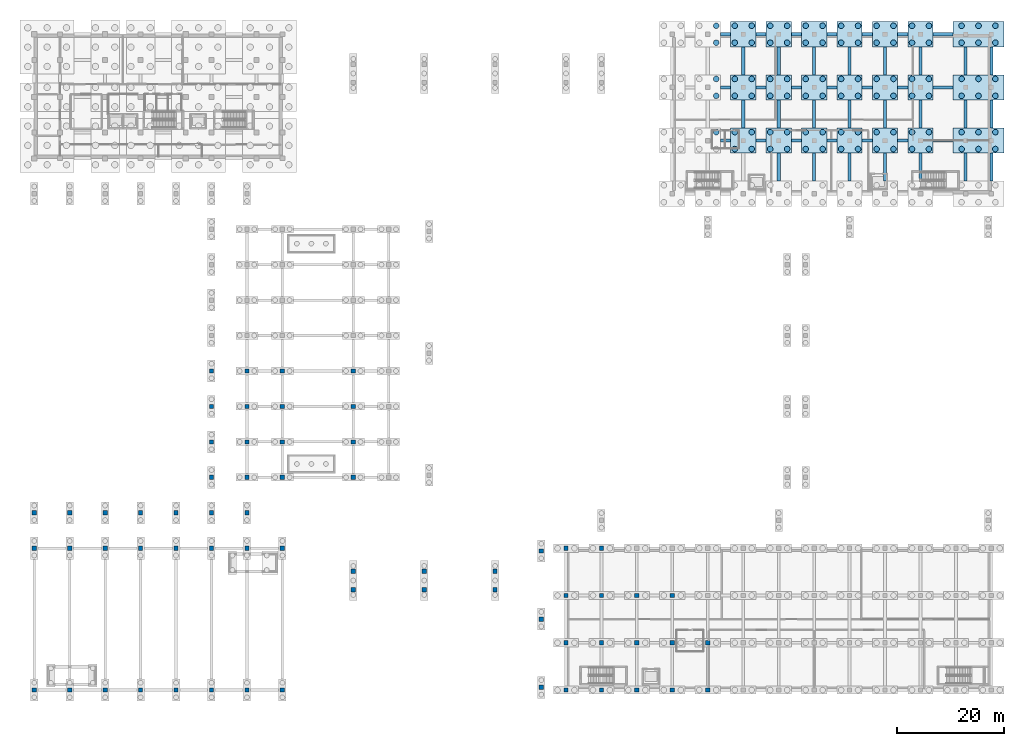
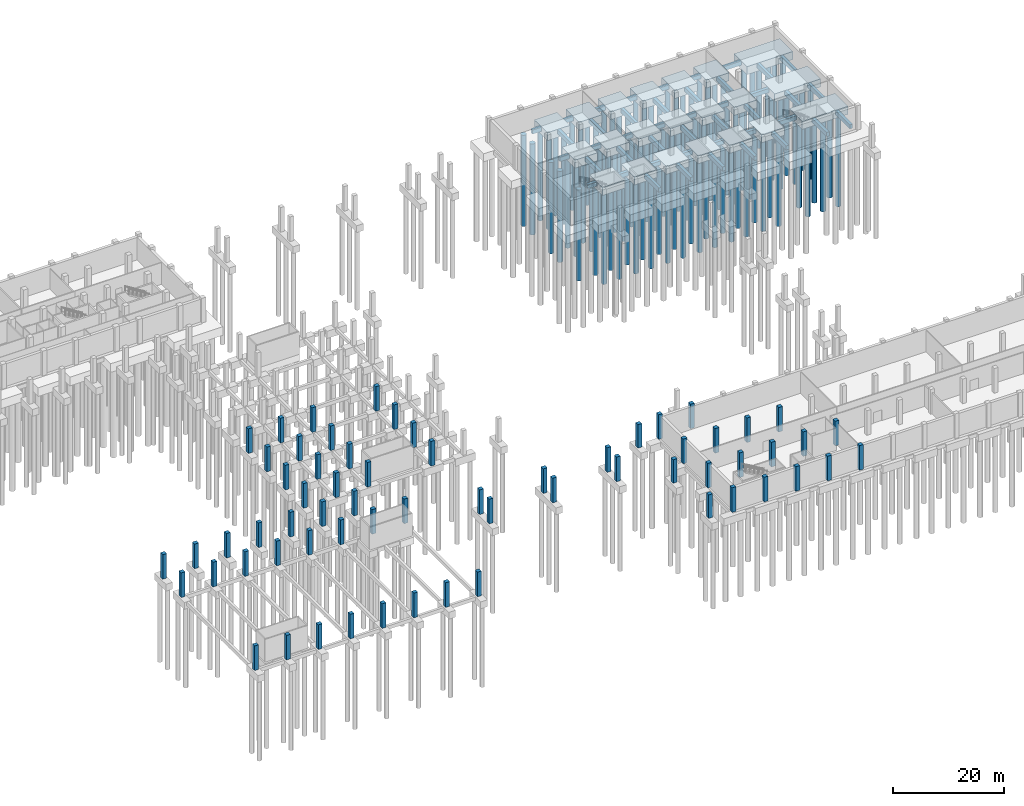
# One storey, part 6 of 23: 95 piles, 65 footings, 64 columns.
"""IFC4 building model written with IfcOpenShell, lengths in metres."""

from ifc_helpers import new_model, si_unit, direction, frame, origin, origin_2d, place, context, subcontext, project, spatial, rectangle, circle, extrude, material, material_profile, profile_set, type_object, element, save


model = new_model("IFC4")

# Units and contexts
model_context = context("Model", 3, precision=1e-05, world=origin(), true_north=direction((0.0, 1.0)))
body_context = subcontext(model_context, "Body", "Model", "MODEL_VIEW")
ifc_project = project(units=[si_unit("LENGTHUNIT", "METRE"), si_unit("AREAUNIT", "SQUARE_METRE"), si_unit("VOLUMEUNIT", "CUBIC_METRE"), si_unit("PLANEANGLEUNIT", "RADIAN"), si_unit("MASSUNIT", "GRAM", prefix="KILO")], contexts=[model_context])

# Site, building, storey
site_placement = place(None, origin())
site = spatial("IfcSite", under=ifc_project, at=site_placement, CompositionType="ELEMENT")
building_placement = place(site_placement, origin())
building = spatial("IfcBuilding", under=site, at=building_placement, Name="Dornvale Research Institute", CompositionType="ELEMENT")
storey_placement = place(building_placement, frame((0.0, 0.0, -5.39990234375)))
storey = spatial("IfcBuildingStorey", under=building, at=storey_placement, Name="B1", CompositionType="ELEMENT", Elevation=-5.39990234375)

# Piles
ifc_material_1 = material(Name="Concrete f'c 35 MPa (C30/37)", Category="concrete")
ifc_material_profile_1 = material_profile(ifc_material_1, circle(Radius=0.52490234375, at=origin_2d()), Name="CIDH PILE D1050")
ifc_profile_set_1 = profile_set([ifc_material_profile_1], Name="Concrete f'c 35 MPa (C30/37)")
pile_type = type_object("IfcPileType", Name="BoredPile_CIDH_1050", PredefinedType="BORED", material=ifc_profile_set_1)
for number, where, z_axis, x_axis, name in (
    (1, (126.97509765625, 103.875, -2.130126953125), (0.0, 0.0, -1.0), (1.0, 0.0, 0.0), "CIDH bored pile P-02 #353"),
    (2, (130.425048828125, 100.72509765625, -2.130126953125), (0.0, 0.0, -1.0), (1.0, 0.0, 0.0), "CIDH bored pile P-02 #354"),
    (3, (130.425048828125, 103.875, -2.130126953125), (0.0, 0.0, -1.0), (1.0, 0.0, 0.0), "CIDH bored pile P-02 #355"),
    (4, (133.574951171875, 100.72509765625, -2.130126953125), (0.0, 0.0, -1.0), (1.0, 0.0, 0.0), "CIDH bored pile P-02 #356"),
    (5, (133.574951171875, 103.875, -2.130126953125), (0.0, 0.0, -1.0), (1.0, 0.0, 0.0), "CIDH bored pile P-02 #357"),
    (6, (137.02490234375, 100.72509765625, -2.130126953125), (0.0, 0.0, -1.0), (1.0, 0.0, 0.0), "CIDH bored pile P-02 #358"),
    (7, (137.02490234375, 103.875, -2.130126953125), (0.0, 0.0, -1.0), (1.0, 0.0, 0.0), "CIDH bored pile P-02 #359"),
    (8, (140.175048828125, 100.72509765625, -2.130126953125), (0.0, 0.0, -1.0), (1.0, 0.0, 0.0), "CIDH bored pile P-02 #360"),
    (9, (140.175048828125, 103.875, -2.130126953125), (0.0, 0.0, -1.0), (1.0, 0.0, 0.0), "CIDH bored pile P-02 #361"),
    (10, (143.625, 100.72509765625, -2.130126953125), (0.0, 0.0, -1.0), (1.0, 0.0, 0.0), "CIDH bored pile P-02 #362"),
    (11, (143.625, 103.875, -2.130126953125), (0.0, 0.0, -1.0), (1.0, 0.0, 0.0), "CIDH bored pile P-02 #363"),
    (12, (146.77490234375, 100.72509765625, -2.130126953125), (0.0, 0.0, -1.0), (1.0, 0.0, 0.0), "CIDH bored pile P-02 #364"),
    (13, (146.77490234375, 103.875, -2.130126953125), (0.0, 0.0, -1.0), (1.0, 0.0, 0.0), "CIDH bored pile P-02 #365"),
    (14, (150.22509765625, 100.72509765625, -2.130126953125), (0.0, 0.0, -1.0), (1.0, 0.0, 0.0), "CIDH bored pile P-02 #366"),
    (15, (150.22509765625, 103.875, -2.130126953125), (0.0, 0.0, -1.0), (1.0, 0.0, 0.0), "CIDH bored pile P-02 #367"),
    (16, (153.375, 100.72509765625, -2.130126953125), (0.0, 0.0, -1.0), (1.0, 0.0, 0.0), "CIDH bored pile P-02 #368"),
    (17, (153.375, 103.875, -2.130126953125), (0.0, 0.0, -1.0), (1.0, 0.0, 0.0), "CIDH bored pile P-02 #369"),
    (18, (156.824951171875, 100.72509765625, -2.130126953125), (0.0, 0.0, -1.0), (1.0, 0.0, 0.0), "CIDH bored pile P-02 #370"),
    (19, (156.824951171875, 103.875, -2.130126953125), (0.0, 0.0, -1.0), (1.0, 0.0, 0.0), "CIDH bored pile P-02 #371"),
    (20, (159.97509765625, 100.72509765625, -2.130126953125), (0.0, 0.0, -1.0), (1.0, 0.0, 0.0), "CIDH bored pile P-02 #372"),
    (21, (159.97509765625, 103.875, -2.130126953125), (0.0, 0.0, -1.0), (1.0, 0.0, 0.0), "CIDH bored pile P-02 #373"),
    (22, (163.425048828125, 100.72509765625, -2.130126953125), (0.0, 0.0, -1.0), (1.0, 0.0, 0.0), "CIDH bored pile P-02 #374"),
    (23, (163.425048828125, 103.875, -2.130126953125), (0.0, 0.0, -1.0), (1.0, 0.0, 0.0), "CIDH bored pile P-02 #375"),
    (24, (166.574951171875, 100.72509765625, -2.130126953125), (0.0, 0.0, -1.0), (1.0, 0.0, 0.0), "CIDH bored pile P-02 #376"),
    (25, (166.574951171875, 103.875, -2.130126953125), (0.0, 0.0, -1.0), (1.0, 0.0, 0.0), "CIDH bored pile P-02 #377"),
    (26, (172.64990234375, 100.72509765625, -2.130126953125), (0.0, 0.0, -1.0), (1.0, 0.0, 0.0), "CIDH bored pile P-02 #378"),
    (27, (172.64990234375, 103.875, -2.130126953125), (0.0, 0.0, -1.0), (1.0, 0.0, 0.0), "CIDH bored pile P-02 #379"),
    (28, (175.800048828125, 100.72509765625, -2.130126953125), (0.0, 0.0, -1.0), (1.0, 0.0, 0.0), "CIDH bored pile P-02 #380"),
    (29, (175.800048828125, 103.875, -2.130126953125), (0.0, 0.0, -1.0), (1.0, 0.0, 0.0), "CIDH bored pile P-02 #381"),
    (30, (178.949951171875, 100.72509765625, -2.130126953125), (0.0, 0.0, -1.0), (1.0, 0.0, 0.0), "CIDH bored pile P-02 #382"),
    (31, (178.949951171875, 103.875, -2.130126953125), (0.0, 0.0, -1.0), (1.0, 0.0, 0.0), "CIDH bored pile P-02 #383"),
    (32, (126.97509765625, 110.625, -2.130126953125), (0.0, 0.0, -1.0), (1.0, 0.0, 0.0), "CIDH bored pile P-02 #416"),
    (33, (126.97509765625, 113.77490234375, -2.130126953125), (0.0, 0.0, -1.0), (1.0, 0.0, 0.0), "CIDH bored pile P-02 #417"),
    (34, (130.425048828125, 110.625, -2.130126953125), (0.0, 0.0, -1.0), (1.0, 0.0, 0.0), "CIDH bored pile P-02 #418"),
    (35, (130.425048828125, 113.77490234375, -2.130126953125), (0.0, 0.0, -1.0), (1.0, 0.0, 0.0), "CIDH bored pile P-02 #419"),
    (36, (133.574951171875, 110.625, -2.130126953125), (0.0, 0.0, -1.0), (1.0, 0.0, 0.0), "CIDH bored pile P-02 #420"),
    (37, (133.574951171875, 113.77490234375, -2.130126953125), (0.0, 0.0, -1.0), (1.0, 0.0, 0.0), "CIDH bored pile P-02 #421"),
    (38, (137.02490234375, 110.625, -2.130126953125), (0.0, 0.0, -1.0), (1.0, 0.0, 0.0), "CIDH bored pile P-02 #422"),
    (39, (137.02490234375, 113.77490234375, -2.130126953125), (0.0, 0.0, -1.0), (1.0, 0.0, 0.0), "CIDH bored pile P-02 #423"),
    (40, (140.175048828125, 110.625, -2.130126953125), (0.0, 0.0, -1.0), (1.0, 0.0, 0.0), "CIDH bored pile P-02 #424"),
    (41, (140.175048828125, 113.77490234375, -2.130126953125), (0.0, 0.0, -1.0), (1.0, 0.0, 0.0), "CIDH bored pile P-02 #425"),
    (42, (143.625, 110.625, -2.130126953125), (0.0, 0.0, -1.0), (1.0, 0.0, 0.0), "CIDH bored pile P-02 #426"),
    (43, (143.625, 113.77490234375, -2.130126953125), (0.0, 0.0, -1.0), (1.0, 0.0, 0.0), "CIDH bored pile P-02 #427"),
    (44, (146.77490234375, 110.625, -2.130126953125), (0.0, 0.0, -1.0), (1.0, 0.0, 0.0), "CIDH bored pile P-02 #428"),
    (45, (146.77490234375, 113.77490234375, -2.130126953125), (0.0, 0.0, -1.0), (1.0, 0.0, 0.0), "CIDH bored pile P-02 #429"),
    (46, (150.22509765625, 110.625, -2.130126953125), (0.0, 0.0, -1.0), (1.0, 0.0, 0.0), "CIDH bored pile P-02 #430"),
    (47, (150.22509765625, 113.77490234375, -2.130126953125), (0.0, 0.0, -1.0), (1.0, 0.0, 0.0), "CIDH bored pile P-02 #431"),
    (48, (153.375, 110.625, -2.130126953125), (0.0, 0.0, -1.0), (1.0, 0.0, 0.0), "CIDH bored pile P-02 #432"),
    (49, (153.375, 113.77490234375, -2.130126953125), (0.0, 0.0, -1.0), (1.0, 0.0, 0.0), "CIDH bored pile P-02 #433"),
    (50, (156.824951171875, 110.625, -2.130126953125), (0.0, 0.0, -1.0), (1.0, 0.0, 0.0), "CIDH bored pile P-02 #434"),
    (51, (156.824951171875, 113.77490234375, -2.130126953125), (0.0, 0.0, -1.0), (1.0, 0.0, 0.0), "CIDH bored pile P-02 #435"),
    (52, (159.97509765625, 110.625, -2.130126953125), (0.0, 0.0, -1.0), (1.0, 0.0, 0.0), "CIDH bored pile P-02 #436"),
    (53, (159.97509765625, 113.77490234375, -2.130126953125), (0.0, 0.0, -1.0), (1.0, 0.0, 0.0), "CIDH bored pile P-02 #437"),
    (54, (163.425048828125, 110.625, -2.130126953125), (0.0, 0.0, -1.0), (1.0, 0.0, 0.0), "CIDH bored pile P-02 #438"),
    (55, (163.425048828125, 113.77490234375, -2.130126953125), (0.0, 0.0, -1.0), (1.0, 0.0, 0.0), "CIDH bored pile P-02 #439"),
    (56, (166.574951171875, 110.625, -2.130126953125), (0.0, 0.0, -1.0), (1.0, 0.0, 0.0), "CIDH bored pile P-02 #440"),
    (57, (166.574951171875, 113.77490234375, -2.130126953125), (0.0, 0.0, -1.0), (1.0, 0.0, 0.0), "CIDH bored pile P-02 #441"),
    (58, (172.64990234375, 110.625, -2.130126953125), (0.0, 0.0, -1.0), (1.0, 0.0, 0.0), "CIDH bored pile P-02 #442"),
    (59, (172.64990234375, 113.77490234375, -2.130126953125), (0.0, 0.0, -1.0), (1.0, 0.0, 0.0), "CIDH bored pile P-02 #443"),
    (60, (175.800048828125, 110.625, -2.130126953125), (0.0, 0.0, -1.0), (1.0, 0.0, 0.0), "CIDH bored pile P-02 #444"),
    (61, (175.800048828125, 113.77490234375, -2.130126953125), (0.0, 0.0, -1.0), (1.0, 0.0, 0.0), "CIDH bored pile P-02 #445"),
    (62, (178.949951171875, 110.625, -2.130126953125), (0.0, 0.0, -1.0), (1.0, 0.0, 0.0), "CIDH bored pile P-02 #446"),
    (63, (178.949951171875, 113.77490234375, -2.130126953125), (0.0, 0.0, -1.0), (1.0, 0.0, 0.0), "CIDH bored pile P-02 #447"),
    (64, (126.97509765625, 120.52490234375, -2.130126953125), (0.0, 0.0, -1.0), (1.0, 0.0, 0.0), "CIDH bored pile P-02 #493"),
    (65, (126.97509765625, 123.675048828125, -2.130126953125), (0.0, 0.0, -1.0), (1.0, 0.0, 0.0), "CIDH bored pile P-02 #494"),
    (66, (130.425048828125, 120.52490234375, -2.130126953125), (0.0, 0.0, -1.0), (1.0, 0.0, 0.0), "CIDH bored pile P-02 #495"),
    (67, (130.425048828125, 123.675048828125, -2.130126953125), (0.0, 0.0, -1.0), (1.0, 0.0, 0.0), "CIDH bored pile P-02 #496"),
    (68, (133.574951171875, 120.52490234375, -2.130126953125), (0.0, 0.0, -1.0), (1.0, 0.0, 0.0), "CIDH bored pile P-02 #497"),
    (69, (133.574951171875, 123.675048828125, -2.130126953125), (0.0, 0.0, -1.0), (1.0, 0.0, 0.0), "CIDH bored pile P-02 #498"),
    (70, (137.02490234375, 120.52490234375, -2.130126953125), (0.0, 0.0, -1.0), (1.0, 0.0, 0.0), "CIDH bored pile P-02 #499"),
    (71, (137.02490234375, 123.675048828125, -2.130126953125), (0.0, 0.0, -1.0), (1.0, 0.0, 0.0), "CIDH bored pile P-02 #500"),
    (72, (140.175048828125, 120.52490234375, -2.130126953125), (0.0, 0.0, -1.0), (1.0, 0.0, 0.0), "CIDH bored pile P-02 #501"),
    (73, (140.175048828125, 123.675048828125, -2.130126953125), (0.0, 0.0, -1.0), (1.0, 0.0, 0.0), "CIDH bored pile P-02 #502"),
    (74, (143.625, 120.52490234375, -2.130126953125), (0.0, 0.0, -1.0), (1.0, 0.0, 0.0), "CIDH bored pile P-02 #503"),
    (75, (143.625, 123.675048828125, -2.130126953125), (0.0, 0.0, -1.0), (1.0, 0.0, 0.0), "CIDH bored pile P-02 #504"),
    (76, (146.77490234375, 120.52490234375, -2.130126953125), (0.0, 0.0, -1.0), (1.0, 0.0, 0.0), "CIDH bored pile P-02 #505"),
    (77, (146.77490234375, 123.675048828125, -2.130126953125), (0.0, 0.0, -1.0), (1.0, 0.0, 0.0), "CIDH bored pile P-02 #506"),
    (78, (150.22509765625, 120.52490234375, -2.130126953125), (0.0, 0.0, -1.0), (1.0, 0.0, 0.0), "CIDH bored pile P-02 #507"),
    (79, (150.22509765625, 123.675048828125, -2.130126953125), (0.0, 0.0, -1.0), (1.0, 0.0, 0.0), "CIDH bored pile P-02 #508"),
    (80, (153.375, 120.52490234375, -2.130126953125), (0.0, 0.0, -1.0), (1.0, 0.0, 0.0), "CIDH bored pile P-02 #509"),
    (81, (153.375, 123.675048828125, -2.130126953125), (0.0, 0.0, -1.0), (1.0, 0.0, 0.0), "CIDH bored pile P-02 #510"),
    (82, (156.824951171875, 120.52490234375, -2.130126953125), (0.0, 0.0, -1.0), (1.0, 0.0, 0.0), "CIDH bored pile P-02 #511"),
    (83, (156.824951171875, 123.675048828125, -2.130126953125), (0.0, 0.0, -1.0), (1.0, 0.0, 0.0), "CIDH bored pile P-02 #512"),
    (84, (159.97509765625, 120.52490234375, -2.130126953125), (0.0, 0.0, -1.0), (1.0, 0.0, 0.0), "CIDH bored pile P-02 #513"),
    (85, (159.97509765625, 123.675048828125, -2.130126953125), (0.0, 0.0, -1.0), (1.0, 0.0, 0.0), "CIDH bored pile P-02 #514"),
    (86, (163.425048828125, 120.52490234375, -2.130126953125), (0.0, 0.0, -1.0), (1.0, 0.0, 0.0), "CIDH bored pile P-02 #515"),
    (87, (163.425048828125, 123.675048828125, -2.130126953125), (0.0, 0.0, -1.0), (1.0, 0.0, 0.0), "CIDH bored pile P-02 #516"),
    (88, (166.574951171875, 120.52490234375, -2.130126953125), (0.0, 0.0, -1.0), (1.0, 0.0, 0.0), "CIDH bored pile P-02 #517"),
    (89, (166.574951171875, 123.675048828125, -2.130126953125), (0.0, 0.0, -1.0), (1.0, 0.0, 0.0), "CIDH bored pile P-02 #518"),
    (90, (172.64990234375, 120.52490234375, -2.130126953125), (0.0, 0.0, -1.0), (1.0, 0.0, 0.0), "CIDH bored pile P-02 #519"),
    (91, (172.64990234375, 123.675048828125, -2.130126953125), (0.0, 0.0, -1.0), (1.0, 0.0, 0.0), "CIDH bored pile P-02 #520"),
    (92, (175.800048828125, 120.52490234375, -2.130126953125), (0.0, 0.0, -1.0), (1.0, 0.0, 0.0), "CIDH bored pile P-02 #521"),
    (93, (175.800048828125, 123.675048828125, -2.130126953125), (0.0, 0.0, -1.0), (1.0, 0.0, 0.0), "CIDH bored pile P-02 #522"),
    (94, (178.949951171875, 120.52490234375, -2.130126953125), (0.0, 0.0, -1.0), (1.0, 0.0, 0.0), "CIDH bored pile P-02 #523"),
    (95, (178.949951171875, 123.675048828125, -2.130126953125), (0.0, 0.0, -1.0), (1.0, 0.0, 0.0), "CIDH bored pile P-02 #524"),
):
    element("IfcPile", number, at=place(storey_placement, frame(where, z_axis=z_axis, x_axis=x_axis)), inside=storey, type_object=pile_type, Name=name, PredefinedType="BORED", context=body_context, shape_type="SweptSolid", body=[
        extrude(circle(Radius=0.52490234375, at=origin_2d()), origin(), (0.0, 0.0, 1.0), 19.969970703125),
    ])

# Footings
ifc_material_2 = material(Name="Concrete f'c 35 MPa (C30/37)", Category="concrete")
footing_type_1 = type_object("IfcFootingType", Name="FootingBeam_Tie_600x900", PredefinedType="FOOTING_BEAM", material=ifc_material_2)
for number, where, z_axis, x_axis, name in (
    (96, (128.699951171875, 102.300048828125, -1.400146484375), (0.0, 0.0, 1.0), (1.0, 0.0, 0.0), "Seismic tie beam #33"),
    (97, (135.300048828125, 102.300048828125, -1.400146484375), (0.0, 0.0, 1.0), (1.0, 0.0, 0.0), "Seismic tie beam #34"),
    (98, (141.89990234375, 102.300048828125, -1.400146484375), (0.0, 0.0, 1.0), (1.0, 0.0, 0.0), "Seismic tie beam #35"),
    (99, (148.5, 102.300048828125, -1.400146484375), (0.0, 0.0, 1.0), (1.0, 0.0, 0.0), "Seismic tie beam #36"),
    (100, (155.10009765625, 102.300048828125, -1.400146484375), (0.0, 0.0, 1.0), (1.0, 0.0, 0.0), "Seismic tie beam #37"),
    (101, (161.699951171875, 102.300048828125, -1.400146484375), (0.0, 0.0, 1.0), (1.0, 0.0, 0.0), "Seismic tie beam #38"),
):
    element("IfcFooting", number, at=place(storey_placement, frame(where, z_axis=z_axis, x_axis=x_axis)), inside=storey, type_object=footing_type_1, Name=name, PredefinedType="FOOTING_BEAM", context=body_context, shape_type="SweptSolid", body=[
        extrude(rectangle(XDim=1.89990234375, YDim=0.60009765625, at=origin_2d()), origin(), (0.0, 0.0, 1.0), 0.89990234375),
    ])
footing_1_placement = place(storey_placement, frame((169.199951171875, 102.300048828125, -1.400146484375), z_axis=(0.0, 0.0, 1.0), x_axis=(1.0, 0.0, 0.0)))
element("IfcFooting", 102, at=footing_1_placement, inside=storey, type_object=footing_type_1, Name="Seismic tie beam #39", PredefinedType="FOOTING_BEAM", context=body_context, shape_type="SweptSolid", body=[
    extrude(rectangle(XDim=3.699951171875, YDim=0.60009765625, at=origin_2d()), origin(), (0.0, 0.0, 1.0), 0.89990234375),
])
for number, where, z_axis, x_axis, name in (
    (103, (128.699951171875, 112.199951171875, -1.400146484375), (0.0, 0.0, 1.0), (1.0, 0.0, 0.0), "Seismic tie beam #41"),
    (104, (135.300048828125, 112.199951171875, -1.400146484375), (0.0, 0.0, 1.0), (1.0, 0.0, 0.0), "Seismic tie beam #42"),
    (105, (141.89990234375, 112.199951171875, -1.400146484375), (0.0, 0.0, 1.0), (1.0, 0.0, 0.0), "Seismic tie beam #43"),
    (106, (148.5, 112.199951171875, -1.400146484375), (0.0, 0.0, 1.0), (1.0, 0.0, 0.0), "Seismic tie beam #44"),
    (107, (155.10009765625, 112.199951171875, -1.400146484375), (0.0, 0.0, 1.0), (1.0, 0.0, 0.0), "Seismic tie beam #45"),
    (108, (161.699951171875, 112.199951171875, -1.400146484375), (0.0, 0.0, 1.0), (1.0, 0.0, 0.0), "Seismic tie beam #46"),
):
    element("IfcFooting", number, at=place(storey_placement, frame(where, z_axis=z_axis, x_axis=x_axis)), inside=storey, type_object=footing_type_1, Name=name, PredefinedType="FOOTING_BEAM", context=body_context, shape_type="SweptSolid", body=[
        extrude(rectangle(XDim=1.89990234375, YDim=0.60009765625, at=origin_2d()), origin(), (0.0, 0.0, 1.0), 0.89990234375),
    ])
footing_2_placement = place(storey_placement, frame((169.199951171875, 112.199951171875, -1.400146484375), z_axis=(0.0, 0.0, 1.0), x_axis=(1.0, 0.0, 0.0)))
element("IfcFooting", 109, at=footing_2_placement, inside=storey, type_object=footing_type_1, Name="Seismic tie beam #47", PredefinedType="FOOTING_BEAM", context=body_context, shape_type="SweptSolid", body=[
    extrude(rectangle(XDim=3.699951171875, YDim=0.60009765625, at=origin_2d()), origin(), (0.0, 0.0, 1.0), 0.89990234375),
])
for number, where, z_axis, x_axis, name in (
    (110, (128.699951171875, 122.10009765625, -1.400146484375), (0.0, 0.0, 1.0), (1.0, 0.0, 0.0), "Seismic tie beam #49"),
    (111, (135.300048828125, 122.10009765625, -1.400146484375), (0.0, 0.0, 1.0), (1.0, 0.0, 0.0), "Seismic tie beam #50"),
    (112, (141.89990234375, 122.10009765625, -1.400146484375), (0.0, 0.0, 1.0), (1.0, 0.0, 0.0), "Seismic tie beam #51"),
    (113, (148.5, 122.10009765625, -1.400146484375), (0.0, 0.0, 1.0), (1.0, 0.0, 0.0), "Seismic tie beam #52"),
    (114, (155.10009765625, 122.10009765625, -1.400146484375), (0.0, 0.0, 1.0), (1.0, 0.0, 0.0), "Seismic tie beam #53"),
    (115, (161.699951171875, 122.10009765625, -1.400146484375), (0.0, 0.0, 1.0), (1.0, 0.0, 0.0), "Seismic tie beam #54"),
):
    element("IfcFooting", number, at=place(storey_placement, frame(where, z_axis=z_axis, x_axis=x_axis)), inside=storey, type_object=footing_type_1, Name=name, PredefinedType="FOOTING_BEAM", context=body_context, shape_type="SweptSolid", body=[
        extrude(rectangle(XDim=1.89990234375, YDim=0.60009765625, at=origin_2d()), origin(), (0.0, 0.0, 1.0), 0.89990234375),
    ])
footing_3_placement = place(storey_placement, frame((169.199951171875, 122.10009765625, -1.400146484375), z_axis=(0.0, 0.0, 1.0), x_axis=(1.0, 0.0, 0.0)))
element("IfcFooting", 116, at=footing_3_placement, inside=storey, type_object=footing_type_1, Name="Seismic tie beam #55", PredefinedType="FOOTING_BEAM", context=body_context, shape_type="SweptSolid", body=[
    extrude(rectangle(XDim=3.699951171875, YDim=0.60009765625, at=origin_2d()), origin(), (0.0, 0.0, 1.0), 0.89990234375),
])
for number, where, z_axis, x_axis, name in (
    (117, (132.0, 107.25, -1.400146484375), (0.0, 0.0, 1.0), (0.0, 1.0, 0.0), "Seismic tie beam #63"),
    (118, (132.0, 117.14990234375, -1.400146484375), (0.0, 0.0, 1.0), (0.0, 1.0, 0.0), "Seismic tie beam #64"),
    (119, (138.60009765625, 97.35009765625, -1.400146484375), (0.0, 0.0, 1.0), (0.0, 1.0, 0.0), "Seismic tie beam #65"),
    (120, (138.60009765625, 107.25, -1.400146484375), (0.0, 0.0, 1.0), (0.0, 1.0, 0.0), "Seismic tie beam #66"),
    (121, (138.60009765625, 117.14990234375, -1.400146484375), (0.0, 0.0, 1.0), (0.0, 1.0, 0.0), "Seismic tie beam #67"),
    (122, (145.199951171875, 97.35009765625, -1.400146484375), (0.0, 0.0, 1.0), (0.0, 1.0, 0.0), "Seismic tie beam #68"),
    (123, (145.199951171875, 107.25, -1.400146484375), (0.0, 0.0, 1.0), (0.0, 1.0, 0.0), "Seismic tie beam #69"),
    (124, (145.199951171875, 117.14990234375, -1.400146484375), (0.0, 0.0, 1.0), (0.0, 1.0, 0.0), "Seismic tie beam #70"),
    (125, (151.800048828125, 97.35009765625, -1.400146484375), (0.0, 0.0, 1.0), (0.0, 1.0, 0.0), "Seismic tie beam #71"),
    (126, (151.800048828125, 107.25, -1.400146484375), (0.0, 0.0, 1.0), (0.0, 1.0, 0.0), "Seismic tie beam #72"),
    (127, (151.800048828125, 117.14990234375, -1.400146484375), (0.0, 0.0, 1.0), (0.0, 1.0, 0.0), "Seismic tie beam #73"),
    (128, (158.39990234375, 97.35009765625, -1.400146484375), (0.0, 0.0, 1.0), (0.0, 1.0, 0.0), "Seismic tie beam #74"),
    (129, (158.39990234375, 107.25, -1.400146484375), (0.0, 0.0, 1.0), (0.0, 1.0, 0.0), "Seismic tie beam #75"),
    (130, (158.39990234375, 117.14990234375, -1.400146484375), (0.0, 0.0, 1.0), (0.0, 1.0, 0.0), "Seismic tie beam #76"),
    (131, (165.0, 97.35009765625, -1.400146484375), (0.0, 0.0, 1.0), (0.0, 1.0, 0.0), "Seismic tie beam #77"),
    (132, (165.0, 107.25, -1.400146484375), (0.0, 0.0, 1.0), (0.0, 1.0, 0.0), "Seismic tie beam #78"),
    (133, (165.0, 117.14990234375, -1.400146484375), (0.0, 0.0, 1.0), (0.0, 1.0, 0.0), "Seismic tie beam #79"),
    (134, (173.39990234375, 97.35009765625, -1.400146484375), (0.0, 0.0, 1.0), (0.0, 1.0, 0.0), "Seismic tie beam #80"),
    (135, (173.39990234375, 107.25, -1.400146484375), (0.0, 0.0, 1.0), (0.0, 1.0, 0.0), "Seismic tie beam #81"),
    (136, (173.39990234375, 117.14990234375, -1.400146484375), (0.0, 0.0, 1.0), (0.0, 1.0, 0.0), "Seismic tie beam #82"),
    (137, (178.199951171875, 97.35009765625, -1.400146484375), (0.0, 0.0, 1.0), (0.0, 1.0, 0.0), "Seismic tie beam #83"),
    (138, (178.199951171875, 107.25, -1.400146484375), (0.0, 0.0, 1.0), (0.0, 1.0, 0.0), "Seismic tie beam #84"),
    (139, (178.199951171875, 117.14990234375, -1.400146484375), (0.0, 0.0, 1.0), (0.0, 1.0, 0.0), "Seismic tie beam #85"),
):
    element("IfcFooting", number, at=place(storey_placement, frame(where, z_axis=z_axis, x_axis=x_axis)), inside=storey, type_object=footing_type_1, Name=name, PredefinedType="FOOTING_BEAM", context=body_context, shape_type="SweptSolid", body=[
        extrude(rectangle(XDim=5.199951171875, YDim=0.60009765625, at=origin_2d()), origin(), (0.0, 0.0, 1.0), 0.89990234375),
    ])
ifc_material_3 = material(Name="Concrete f'c 35 MPa (C30/37)", Category="concrete")
footing_type_2 = type_object("IfcFootingType", Name="PileCap_4700x4700x1750", PredefinedType="PILE_CAP", material=ifc_material_3)
for number, where, z_axis, x_axis, name in (
    (140, (132.0, 102.300048828125, -2.25), (0.0, 0.0, 1.0), (1.0, 0.0, 0.0), "Pile cap PC-05 #151"),
    (141, (138.60009765625, 102.300048828125, -2.25), (0.0, 0.0, 1.0), (1.0, 0.0, 0.0), "Pile cap PC-05 #152"),
    (142, (145.199951171875, 102.300048828125, -2.25), (0.0, 0.0, 1.0), (1.0, 0.0, 0.0), "Pile cap PC-05 #153"),
    (143, (151.800048828125, 102.300048828125, -2.25), (0.0, 0.0, 1.0), (1.0, 0.0, 0.0), "Pile cap PC-05 #154"),
    (144, (158.39990234375, 102.300048828125, -2.25), (0.0, 0.0, 1.0), (1.0, 0.0, 0.0), "Pile cap PC-05 #155"),
    (145, (165.0, 102.300048828125, -2.25), (0.0, 0.0, 1.0), (1.0, 0.0, 0.0), "Pile cap PC-05 #156"),
    (146, (132.0, 112.199951171875, -2.25), (0.0, 0.0, 1.0), (1.0, 0.0, 0.0), "Pile cap PC-05 #165"),
    (147, (138.60009765625, 112.199951171875, -2.25), (0.0, 0.0, 1.0), (1.0, 0.0, 0.0), "Pile cap PC-05 #166"),
    (148, (145.199951171875, 112.199951171875, -2.25), (0.0, 0.0, 1.0), (1.0, 0.0, 0.0), "Pile cap PC-05 #167"),
    (149, (151.800048828125, 112.199951171875, -2.25), (0.0, 0.0, 1.0), (1.0, 0.0, 0.0), "Pile cap PC-05 #168"),
    (150, (158.39990234375, 112.199951171875, -2.25), (0.0, 0.0, 1.0), (1.0, 0.0, 0.0), "Pile cap PC-05 #169"),
    (151, (165.0, 112.199951171875, -2.25), (0.0, 0.0, 1.0), (1.0, 0.0, 0.0), "Pile cap PC-05 #170"),
    (152, (132.0, 122.10009765625, -2.25), (0.0, 0.0, 1.0), (1.0, 0.0, 0.0), "Pile cap PC-05 #179"),
    (153, (138.60009765625, 122.10009765625, -2.25), (0.0, 0.0, 1.0), (1.0, 0.0, 0.0), "Pile cap PC-05 #180"),
    (154, (145.199951171875, 122.10009765625, -2.25), (0.0, 0.0, 1.0), (1.0, 0.0, 0.0), "Pile cap PC-05 #181"),
    (155, (151.800048828125, 122.10009765625, -2.25), (0.0, 0.0, 1.0), (1.0, 0.0, 0.0), "Pile cap PC-05 #182"),
    (156, (158.39990234375, 122.10009765625, -2.25), (0.0, 0.0, 1.0), (1.0, 0.0, 0.0), "Pile cap PC-05 #183"),
    (157, (165.0, 122.10009765625, -2.25), (0.0, 0.0, 1.0), (1.0, 0.0, 0.0), "Pile cap PC-05 #184"),
):
    element("IfcFooting", number, at=place(storey_placement, frame(where, z_axis=z_axis, x_axis=x_axis)), inside=storey, type_object=footing_type_2, Name=name, PredefinedType="PILE_CAP", context=body_context, shape_type="SweptSolid", body=[
        extrude(rectangle(XDim=4.699951171875, YDim=4.699951171875, at=origin_2d()), origin(), (0.0, 0.0, 1.0), 1.75),
    ])
ifc_material_4 = material(Name="Concrete f'c 35 MPa (C30/37)", Category="concrete")
footing_type_3 = type_object("IfcFootingType", Name="PileCap_9500x4700x1750", PredefinedType="PILE_CAP", material=ifc_material_4)
for number, where, z_axis, x_axis, name in (
    (158, (175.800048828125, 102.300048828125, -2.25), (0.0, 0.0, 1.0), (1.0, 0.0, 0.0), "Pile cap PC-06 #157"),
    (159, (175.800048828125, 112.199951171875, -2.25), (0.0, 0.0, 1.0), (1.0, 0.0, 0.0), "Pile cap PC-06 #171"),
    (160, (175.800048828125, 122.10009765625, -2.25), (0.0, 0.0, 1.0), (1.0, 0.0, 0.0), "Pile cap PC-06 #185"),
):
    element("IfcFooting", number, at=place(storey_placement, frame(where, z_axis=z_axis, x_axis=x_axis)), inside=storey, type_object=footing_type_3, Name=name, PredefinedType="PILE_CAP", context=body_context, shape_type="SweptSolid", body=[
        extrude(rectangle(XDim=9.5, YDim=4.699951171875, at=origin_2d()), origin(), (0.0, 0.0, 1.0), 1.75),
    ])

# Columns
ifc_material_5 = material(Name="Concrete f'c 50 MPa (C40/50)", Category="concrete")
ifc_material_profile_2 = material_profile(ifc_material_5, rectangle(XDim=0.800048828125, YDim=0.800048828125, at=origin_2d()), Name="RC 800x800")
ifc_profile_set_2 = profile_set([ifc_material_profile_2], Name="Concrete f'c 50 MPa (C40/50)")
column_type = type_object("IfcColumnType", Name="Column_RC800", PredefinedType="COLUMN", material=ifc_profile_set_2)
for number, where, z_axis, x_axis, name in (
    (161, (99.0, 0.0, 0.0), (0.0, 0.0, 1.0), (1.0, 0.0, 0.0), "B1 column #726"),
    (162, (99.0, 8.800048828125, 0.0), (0.0, 0.0, 1.0), (1.0, 0.0, 0.0), "B1 column #727"),
    (163, (99.0, 17.60009765625, 0.0), (0.0, 0.0, 1.0), (1.0, 0.0, 0.0), "B1 column #728"),
    (164, (99.0, 26.39990234375, 0.0), (0.0, 0.0, 1.0), (1.0, 0.0, 0.0), "B1 column #729"),
    (165, (105.60009765625, 0.0, 0.0), (0.0, 0.0, 1.0), (1.0, 0.0, 0.0), "B1 column #730"),
    (166, (105.60009765625, 8.800048828125, 0.0), (0.0, 0.0, 1.0), (1.0, 0.0, 0.0), "B1 column #731"),
    (167, (105.60009765625, 17.60009765625, 0.0), (0.0, 0.0, 1.0), (1.0, 0.0, 0.0), "B1 column #732"),
    (168, (105.60009765625, 26.39990234375, 0.0), (0.0, 0.0, 1.0), (1.0, 0.0, 0.0), "B1 column #733"),
    (169, (112.199951171875, 0.0, 0.0), (0.0, 0.0, 1.0), (1.0, 0.0, 0.0), "B1 column #734"),
    (170, (112.199951171875, 8.800048828125, 0.0), (0.0, 0.0, 1.0), (1.0, 0.0, 0.0), "B1 column #735"),
    (171, (112.199951171875, 17.60009765625, 0.0), (0.0, 0.0, 1.0), (1.0, 0.0, 0.0), "B1 column #736"),
    (172, (118.800048828125, 0.0, 0.0), (0.0, 0.0, 1.0), (1.0, 0.0, 0.0), "B1 column #738"),
    (173, (118.800048828125, 8.800048828125, 0.0), (0.0, 0.0, 1.0), (1.0, 0.0, 0.0), "B1 column #739"),
    (174, (118.800048828125, 17.60009765625, 0.0), (0.0, 0.0, 1.0), (1.0, 0.0, 0.0), "B1 column #740"),
    (175, (125.39990234375, 0.0, 0.0), (0.0, 0.0, 1.0), (1.0, 0.0, 0.0), "B1 column #742"),
    (176, (125.39990234375, 8.800048828125, 0.0), (0.0, 0.0, 1.0), (1.0, 0.0, 0.0), "B1 column #743"),
    (177, (39.60009765625, 39.60009765625, 0.0), (0.0, 0.0, 1.0), (1.0, 0.0, 0.0), "B1 column #986"),
    (178, (39.60009765625, 46.199951171875, 0.0), (0.0, 0.0, 1.0), (1.0, 0.0, 0.0), "B1 column #987"),
    (179, (39.60009765625, 52.800048828125, 0.0), (0.0, 0.0, 1.0), (1.0, 0.0, 0.0), "B1 column #988"),
    (180, (39.60009765625, 59.39990234375, 0.0), (0.0, 0.0, 1.0), (1.0, 0.0, 0.0), "B1 column #989"),
    (181, (46.199951171875, 39.60009765625, 0.0), (0.0, 0.0, 1.0), (1.0, 0.0, 0.0), "B1 column #994"),
    (182, (46.199951171875, 46.199951171875, 0.0), (0.0, 0.0, 1.0), (1.0, 0.0, 0.0), "B1 column #995"),
    (183, (46.199951171875, 52.800048828125, 0.0), (0.0, 0.0, 1.0), (1.0, 0.0, 0.0), "B1 column #996"),
    (184, (46.199951171875, 59.39990234375, 0.0), (0.0, 0.0, 1.0), (1.0, 0.0, 0.0), "B1 column #997"),
    (185, (59.39990234375, 39.60009765625, 0.0), (0.0, 0.0, 1.0), (1.0, 0.0, 0.0), "B1 column #1002"),
    (186, (59.39990234375, 46.199951171875, 0.0), (0.0, 0.0, 1.0), (1.0, 0.0, 0.0), "B1 column #1003"),
    (187, (59.39990234375, 52.800048828125, 0.0), (0.0, 0.0, 1.0), (1.0, 0.0, 0.0), "B1 column #1004"),
    (188, (59.39990234375, 59.39990234375, 0.0), (0.0, 0.0, 1.0), (1.0, 0.0, 0.0), "B1 column #1005"),
    (189, (0.0, 0.0, 0.0), (0.0, 0.0, 1.0), (1.0, 0.0, 0.0), "B1 column #1146"),
    (190, (0.0, 26.39990234375, 0.0), (0.0, 0.0, 1.0), (1.0, 0.0, 0.0), "B1 column #1147"),
    (191, (6.60009765625, 0.0, 0.0), (0.0, 0.0, 1.0), (1.0, 0.0, 0.0), "B1 column #1148"),
    (192, (6.60009765625, 26.39990234375, 0.0), (0.0, 0.0, 1.0), (1.0, 0.0, 0.0), "B1 column #1149"),
    (193, (13.199951171875, 0.0, 0.0), (0.0, 0.0, 1.0), (1.0, 0.0, 0.0), "B1 column #1150"),
    (194, (13.199951171875, 26.39990234375, 0.0), (0.0, 0.0, 1.0), (1.0, 0.0, 0.0), "B1 column #1151"),
    (195, (19.800048828125, 0.0, 0.0), (0.0, 0.0, 1.0), (1.0, 0.0, 0.0), "B1 column #1152"),
    (196, (19.800048828125, 26.39990234375, 0.0), (0.0, 0.0, 1.0), (1.0, 0.0, 0.0), "B1 column #1153"),
    (197, (26.39990234375, 0.0, 0.0), (0.0, 0.0, 1.0), (1.0, 0.0, 0.0), "B1 column #1154"),
    (198, (26.39990234375, 26.39990234375, 0.0), (0.0, 0.0, 1.0), (1.0, 0.0, 0.0), "B1 column #1155"),
    (199, (33.0, 0.0, 0.0), (0.0, 0.0, 1.0), (1.0, 0.0, 0.0), "B1 column #1156"),
    (200, (33.0, 26.39990234375, 0.0), (0.0, 0.0, 1.0), (1.0, 0.0, 0.0), "B1 column #1157"),
    (201, (39.60009765625, 0.0, 0.0), (0.0, 0.0, 1.0), (1.0, 0.0, 0.0), "B1 column #1158"),
    (202, (39.60009765625, 26.39990234375, 0.0), (0.0, 0.0, 1.0), (1.0, 0.0, 0.0), "B1 column #1159"),
    (203, (46.199951171875, 0.0, 0.0), (0.0, 0.0, 1.0), (1.0, 0.0, 0.0), "B1 column #1160"),
    (204, (46.199951171875, 26.39990234375, 0.0), (0.0, 0.0, 1.0), (1.0, 0.0, 0.0), "B1 column #1161"),
    (205, (0.0, 33.0, 0.0), (0.0, 0.0, 1.0), (1.0, 0.0, 0.0), "B1 colonnade column #1210"),
    (206, (6.60009765625, 33.0, 0.0), (0.0, 0.0, 1.0), (1.0, 0.0, 0.0), "B1 colonnade column #1212"),
    (207, (13.199951171875, 33.0, 0.0), (0.0, 0.0, 1.0), (1.0, 0.0, 0.0), "B1 colonnade column #1214"),
    (208, (19.800048828125, 33.0, 0.0), (0.0, 0.0, 1.0), (1.0, 0.0, 0.0), "B1 colonnade column #1216"),
    (209, (26.39990234375, 33.0, 0.0), (0.0, 0.0, 1.0), (1.0, 0.0, 0.0), "B1 colonnade column #1218"),
    (210, (33.0, 33.0, 0.0), (0.0, 0.0, 1.0), (1.0, 0.0, 0.0), "B1 colonnade column #1220"),
    (211, (39.60009765625, 33.0, 0.0), (0.0, 0.0, 1.0), (1.0, 0.0, 0.0), "B1 colonnade column #1222"),
    (212, (33.0, 39.60009765625, 0.0), (0.0, 0.0, 1.0), (1.0, 0.0, 0.0), "B1 colonnade column #1238"),
    (213, (33.0, 46.199951171875, 0.0), (0.0, 0.0, 1.0), (1.0, 0.0, 0.0), "B1 colonnade column #1240"),
    (214, (33.0, 52.800048828125, 0.0), (0.0, 0.0, 1.0), (1.0, 0.0, 0.0), "B1 colonnade column #1242"),
    (215, (33.0, 59.39990234375, 0.0), (0.0, 0.0, 1.0), (1.0, 0.0, 0.0), "B1 colonnade column #1244"),
):
    element("IfcColumn", number, at=place(storey_placement, frame(where, z_axis=z_axis, x_axis=x_axis)), inside=storey, type_object=column_type, Name=name, PredefinedType="COLUMN", context=body_context, shape_type="SweptSolid", body=[
        extrude(rectangle(XDim=0.800048828125, YDim=0.800048828125, at=origin_2d()), origin(), (0.0, 0.0, 1.0), 5.39990234375),
    ])
for number, where, z_axis, x_axis, name in (
    (216, (94.39990234375, 0.5, 0.0), (0.0, 0.0, 1.0), (1.0, 0.0, 0.0), "B1 grade walk pier #1257"),
    (217, (94.39990234375, 13.199951171875, 0.0), (0.0, 0.0, 1.0), (1.0, 0.0, 0.0), "B1 grade walk pier #1258"),
    (218, (94.39990234375, 25.89990234375, 0.0), (0.0, 0.0, 1.0), (1.0, 0.0, 0.0), "B1 grade walk pier #1259"),
):
    element("IfcColumn", number, at=place(storey_placement, frame(where, z_axis=z_axis, x_axis=x_axis)), inside=storey, type_object=column_type, Name=name, PredefinedType="COLUMN", context=body_context, shape_type="SweptSolid", body=[
        extrude(rectangle(XDim=0.800048828125, YDim=0.800048828125, at=origin_2d()), origin(), (0.0, 0.0, 1.0), 5.159912109375),
    ])
for number, where, z_axis, x_axis, name in (
    (219, (59.39990234375, 18.699951171875, 0.0), (0.0, 0.0, 1.0), (1.0, 0.0, 0.0), "B1 cloister link bridge pier #31"),
    (220, (72.60009765625, 18.699951171875, 0.0), (0.0, 0.0, 1.0), (1.0, 0.0, 0.0), "B1 cloister link bridge pier #35"),
    (221, (85.800048828125, 18.699951171875, 0.0), (0.0, 0.0, 1.0), (1.0, 0.0, 0.0), "B1 cloister link bridge pier #39"),
    (222, (59.39990234375, 22.10009765625, 0.0), (0.0, 0.0, 1.0), (1.0, 0.0, 0.0), "B1 cloister link bridge pier #43"),
    (223, (72.60009765625, 22.10009765625, 0.0), (0.0, 0.0, 1.0), (1.0, 0.0, 0.0), "B1 cloister link bridge pier #47"),
    (224, (85.800048828125, 22.10009765625, 0.0), (0.0, 0.0, 1.0), (1.0, 0.0, 0.0), "B1 cloister link bridge pier #51"),
):
    element("IfcColumn", number, at=place(storey_placement, frame(where, z_axis=z_axis, x_axis=x_axis)), inside=storey, type_object=column_type, Name=name, PredefinedType="COLUMN", context=body_context, shape_type="SweptSolid", body=[
        extrude(rectangle(XDim=0.800048828125, YDim=0.800048828125, at=origin_2d()), origin(), (0.0, 0.0, 1.0), 5.39990234375),
    ])

save(model, "model.ifc")
